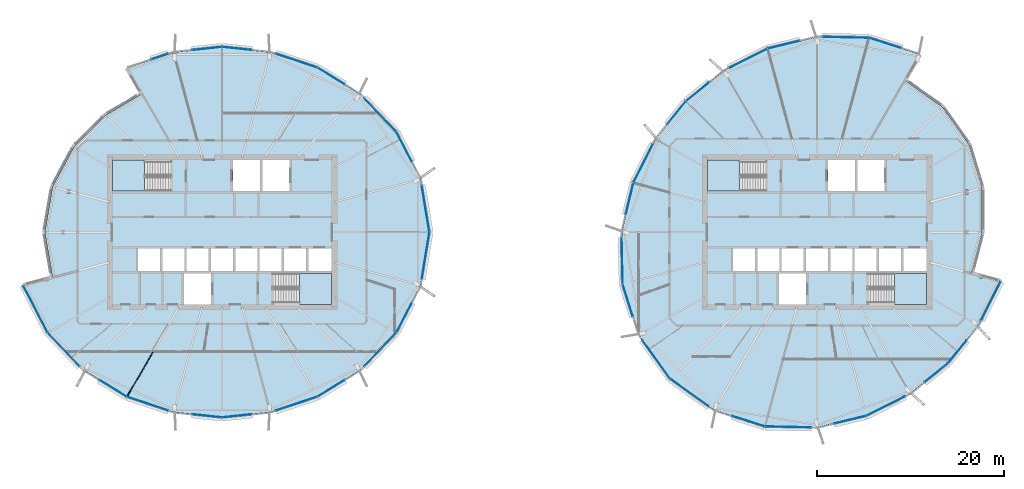
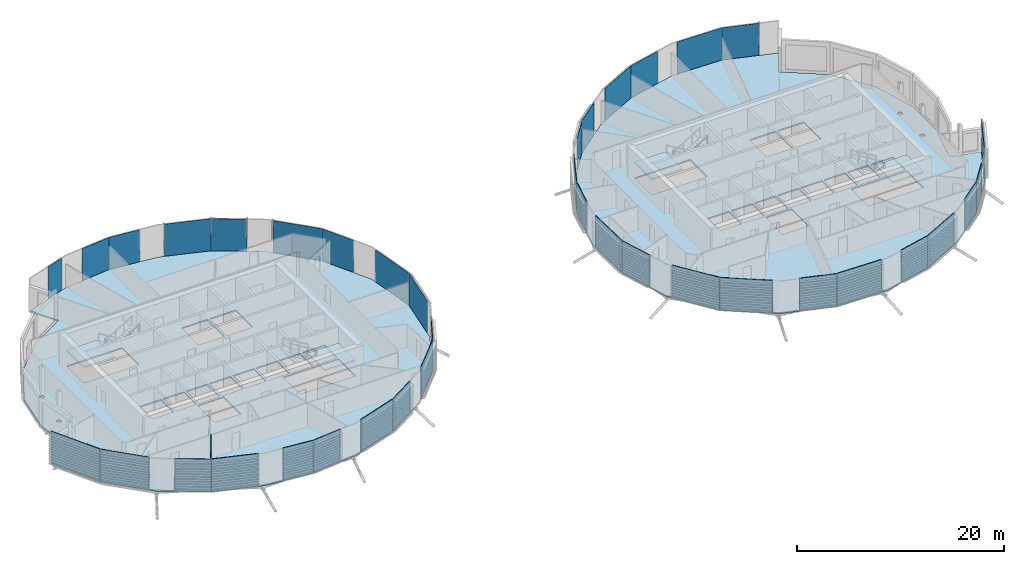
# One storey, part 17 of 36: 38 plates, 6 slabs, 1 wall, 6 elements without a shape of their own.
"""IFC4 building model written with IfcOpenShell, lengths in metres."""

import ifcopenshell
import ifcopenshell.guid

model = None  # the IFC model being written
_history = None  # IfcOwnerHistory: only IFC2X3 demands one
_inside = {}  # id of a spatial element -> (the spatial element, [elements in it])
_under = {}  # id of a project, library or spatial element -> (it, [spatial elements below it])
_declared = {}  # id of a project -> (the project, [libraries it declares])
_typed = {}  # id of a type object -> (the type object, [elements of that type])
_made_of = {}  # id of a material, layer set ... -> (it, [elements and type objects made of it])


def new_model(schema):
    """Start an empty IFC model of exactly this schema.

    Asked for "IFC4X3", IfcOpenShell would pick the latest addendum, in which some entities
    have other attributes; the version numbers below select the first issue.
    IFC2X3 requires an IfcOwnerHistory on every rooted entity: one is made here for all.
    """
    global model, _history
    if schema == "IFC4X3":
        model = ifcopenshell.file(schema_version=(4, 3, 0, 0))
    else:
        model = ifcopenshell.file(schema=schema)
    _inside.clear()
    _under.clear()
    _declared.clear()
    _typed.clear()
    _made_of.clear()
    _history = None
    if model.schema == "IFC2X3":
        org = make("IfcOrganization", Name="unknown")
        user = make(
            "IfcPersonAndOrganization",
            ThePerson=make("IfcPerson", FamilyName="unknown"),
            TheOrganization=org,
        )
        app = make(
            "IfcApplication",
            ApplicationDeveloper=org,
            Version="unknown",
            ApplicationFullName="unknown",
            ApplicationIdentifier="unknown",
        )
        _history = make(
            "IfcOwnerHistory",
            OwningUser=user,
            OwningApplication=app,
            ChangeAction="ADDED",
            CreationDate=0,
        )
    return model


def make(cls, **values):
    """One entity of the class cls with the attributes given. An attribute that is None is left unset."""
    return model.create_entity(
        cls, **{name: value for name, value in values.items() if value is not None}
    )


def rooted(cls, **values):
    """An entity with a GlobalId (a new one), such as an element, a storey or a relation."""
    return make(cls, GlobalId=ifcopenshell.guid.new(), OwnerHistory=_history, **values)


def si_unit(unit_type, name, prefix=None):
    """IfcSIUnit, for example si_unit("LENGTHUNIT", "METRE", prefix="MILLI")."""
    return make("IfcSIUnit", UnitType=unit_type, Prefix=prefix, Name=name)


def assignment(units):
    """IfcUnitAssignment: the units of a project."""
    return None if units is None else make("IfcUnitAssignment", Units=units)


def point(xyz):
    """IfcCartesianPoint."""
    return None if xyz is None else make("IfcCartesianPoint", Coordinates=xyz)


def direction(xyz):
    """IfcDirection."""
    return None if xyz is None else make("IfcDirection", DirectionRatios=xyz)


def frame(location, z_axis=None, x_axis=None):
    """IfcAxis2Placement3D, a coordinate frame: its origin and axes. An axis left out is left unset."""
    return make(
        "IfcAxis2Placement3D",
        Location=point(location),
        Axis=direction(z_axis),
        RefDirection=direction(x_axis),
    )


def frame_2d(location, x_axis=None):
    """IfcAxis2Placement2D, a coordinate frame in the plane: its origin and x axis."""
    return make(
        "IfcAxis2Placement2D", Location=point(location), RefDirection=direction(x_axis)
    )


def origin():
    """The frame at (0, 0, 0) with its axes left unset."""
    return frame((0.0, 0.0, 0.0))


def origin_2d():
    """The frame at (0, 0) in the plane with its x axis left unset."""
    return frame_2d((0.0, 0.0))


def place(relative_to, where):
    """IfcLocalPlacement: puts the frame where relative to a parent placement (None: the world)."""
    return make(
        "IfcLocalPlacement", PlacementRelTo=relative_to, RelativePlacement=where
    )


def context(
    kind, dimensions, precision=None, world=None, true_north=None, identifier=None
):
    """IfcGeometricRepresentationContext, for example the 3D "Model" context."""
    return make(
        "IfcGeometricRepresentationContext",
        ContextIdentifier=identifier,
        ContextType=kind,
        CoordinateSpaceDimension=dimensions,
        Precision=precision,
        WorldCoordinateSystem=world,
        TrueNorth=true_north,
    )


def subcontext(parent, identifier, kind, view, scale=None):
    """IfcGeometricRepresentationSubContext, for example "Body" below "Model"."""
    return make(
        "IfcGeometricRepresentationSubContext",
        ContextIdentifier=identifier,
        ContextType=kind,
        ParentContext=parent,
        TargetScale=scale,
        TargetView=view,
    )


def project(units=None, contexts=None):
    """IfcProject with its units and contexts."""
    return rooted(
        "IfcProject",
        Name="project",
        RepresentationContexts=contexts,
        UnitsInContext=assignment(units),
    )


def spatial(cls, under=None, at=None, **own):
    """A site, building, storey or space (cls), placed at a placement, below another one or the project."""
    s = rooted(cls, ObjectPlacement=at, **own)
    if under is not None:
        _under.setdefault(under.id(), (under, []))[1].append(s)
    return s


def polyline(points):
    """IfcPolyline through the points."""
    return make("IfcPolyline", Points=[point(p) for p in points])


def profile(cls, at=None, kind="AREA", **sizes):
    """A parametric profile (cls). Its sizes go by their IFC names, for example OverallWidth=200.0."""
    return make(cls, ProfileType=kind, Position=at, **sizes)


def rectangle(**sizes):
    """IfcRectangleProfileDef."""
    return profile("IfcRectangleProfileDef", **sizes)


def outline(outer, holes=None, kind="AREA"):
    """IfcArbitraryClosedProfileDef: a profile drawn as a closed curve; with holes, ...WithVoids."""
    if holes is None:
        return make("IfcArbitraryClosedProfileDef", ProfileType=kind, OuterCurve=outer)
    return make(
        "IfcArbitraryProfileDefWithVoids",
        ProfileType=kind,
        OuterCurve=outer,
        InnerCurves=holes,
    )


def extrude(swept, where, along, depth):
    """IfcExtrudedAreaSolid: the profile swept, set in the frame where, extruded along a direction by depth."""
    return make(
        "IfcExtrudedAreaSolid",
        SweptArea=swept,
        Position=where,
        ExtrudedDirection=direction(along),
        Depth=depth,
    )


def shape(context_of_items, identifier, shape_type, items):
    """IfcShapeRepresentation: the items that make up one representation, for example the "Body"."""
    return make(
        "IfcShapeRepresentation",
        ContextOfItems=context_of_items,
        RepresentationIdentifier=identifier,
        RepresentationType=shape_type,
        Items=items,
    )


def material(Name=None, Category=None):
    """IfcMaterial."""
    return make("IfcMaterial", Name=Name, Category=Category)


def layer(
    of_material, thickness, ventilated=None, Name=None, Category=None, Priority=None
):
    """IfcMaterialLayer: one layer of a wall or slab, of a material (None: an air gap)."""
    return make(
        "IfcMaterialLayer",
        Material=of_material,
        LayerThickness=thickness,
        IsVentilated=ventilated,
        Name=Name,
        Category=Category,
        Priority=Priority,
    )


def layer_set(layers, Name=None):
    """IfcMaterialLayerSet."""
    return make("IfcMaterialLayerSet", MaterialLayers=layers, LayerSetName=Name)


def made_of(thing, what):
    """Note that an element or type object is made of a material, layer set ...; save() writes the relation."""
    if what is not None:
        _made_of.setdefault(what.id(), (what, []))[1].append(thing)
    return thing


def type_object(cls, material=None, **own):
    """A type object (cls), such as IfcWallType, which elements share."""
    return made_of(rooted(cls, **own), material)


def element(
    cls,
    number,
    at=None,
    inside=None,
    cuts=None,
    type_object=None,
    material=None,
    context=None,
    identifier="Body",
    shape_type=None,
    held_by="IfcProductDefinitionShape",
    body=None,
    shapes=None,
    **own,
):
    """One element of the class cls, such as IfcWall. Its Tag is "e" and its number.

    at: its placement. inside: the storey or other place that contains it. cuts: it is an
    opening in that element (IfcRelVoidsElement). A single representation is given by context,
    identifier, shape_type and body (its items); several are given by shapes. held_by: the class
    of the entity that holds the representations. save() writes the other relations.
    """
    e = rooted(cls, Tag="e%d" % number, ObjectPlacement=at, **own)
    if body is not None:
        shapes = [shape(context, identifier, shape_type, body)]
    if shapes is not None:
        e.Representation = make(held_by, Representations=shapes)
    if inside is not None:
        _inside.setdefault(inside.id(), (inside, []))[1].append(e)
    if cuts is not None:
        rooted(
            "IfcRelVoidsElement", RelatingBuildingElement=cuts, RelatedOpeningElement=e
        )
    if type_object is not None:
        _typed.setdefault(type_object.id(), (type_object, []))[1].append(e)
    return made_of(e, material)


def aggregate(whole, parts):
    """IfcRelAggregates: a whole, such as a stair, and the parts it consists of."""
    return rooted("IfcRelAggregates", RelatingObject=whole, RelatedObjects=parts)


def save(model, path):
    """Write the relations noted so far, then the file.

    IfcRelAggregates (storeys below a building ...), IfcRelContainedInSpatialStructure (elements
    in a storey), IfcRelDefinesByType, IfcRelAssociatesMaterial and IfcRelDeclares: one each for
    every whole, place, type object, material and project.
    """
    for whole, parts in _under.values():
        aggregate(whole, parts)
    for where, things in _inside.values():
        rooted(
            "IfcRelContainedInSpatialStructure",
            RelatedElements=things,
            RelatingStructure=where,
        )
    for kind, things in _typed.values():
        rooted("IfcRelDefinesByType", RelatedObjects=things, RelatingType=kind)
    for what, things in _made_of.values():
        rooted("IfcRelAssociatesMaterial", RelatedObjects=things, RelatingMaterial=what)
    for by, libraries in _declared.values():
        rooted("IfcRelDeclares", RelatingContext=by, RelatedDefinitions=libraries)
    model.write(path)


model = new_model("IFC4")

# Units and contexts
model_context = context("Model", 3, precision=1e-05, world=origin(), true_north=direction((0.0, 1.0)))
body_context = subcontext(model_context, "Body", "Model", "MODEL_VIEW")
ifc_project = project(units=[si_unit("LENGTHUNIT", "METRE"), si_unit("AREAUNIT", "SQUARE_METRE"), si_unit("VOLUMEUNIT", "CUBIC_METRE"), si_unit("PLANEANGLEUNIT", "RADIAN"), si_unit("MASSUNIT", "GRAM", prefix="KILO")], contexts=[model_context])

# Site, building, storey
site_placement = place(None, origin())
site = spatial("IfcSite", under=ifc_project, at=site_placement, CompositionType="ELEMENT")
building_placement = place(site_placement, origin())
building = spatial("IfcBuilding", under=site, at=building_placement, Name="Rimbun Link Towers", CompositionType="ELEMENT")
storey_placement = place(building_placement, frame((0.0, 0.0, 174.10009765625)))
storey = spatial("IfcBuildingStorey", under=building, at=storey_placement, Name="L42", CompositionType="ELEMENT", Elevation=174.10009765625)

# Slabs
ifc_material_1 = material(Name="Concrete C35/45", Category="concrete")
ifc_layer_1 = layer(ifc_material_1, 0.14990234375)
ifc_layer_set_1 = layer_set([ifc_layer_1], Name="COMPOSITE FLOOR 150")
slab_type_1 = type_object("IfcSlabType", Name="COMPOSITE FLOOR 150", PredefinedType="FLOOR", material=ifc_layer_set_1)
slab_1_placement = place(storey_placement, frame((0.0, 0.0, -0.150146484375)))
element("IfcSlab", 1, at=slab_1_placement, inside=storey, type_object=slab_type_1, Name="Floor slab T1 L42", PredefinedType="FLOOR", context=body_context, shape_type="SweptSolid", body=[
    extrude(outline(polyline([(-49.843994140625, -4.848388671875), (-50.66845703125, 0.0), (-49.843994140625, 4.848388671875), (-47.55224609375, 9.12353515625), (-44.218505859375, 12.468505859375), (-40.28466796875, 14.7822265625), (-41.884521484375, 17.5537109375), (-36.896484375, 19.20654296875), (-31.75, 19.74853515625), (-26.603515625, 19.20654296875), (-21.615478515625, 17.5537109375), (-17.018798828125, 14.731201171875), (-13.176513671875, 10.723388671875), (-10.56494140625, 5.676513671875), (-9.631591796875, 0.0), (-10.56494140625, -5.676513671875), (-13.176513671875, -10.723388671875), (-17.018798828125, -14.731201171875), (-21.615478515625, -17.5537109375), (-26.603515625, -19.20654296875), (-31.75, -19.74853515625), (-36.896484375, -19.20654296875), (-41.884521484375, -17.5537109375), (-46.481201171875, -14.731201171875), (-50.323486328125, -10.723388671875), (-52.93505859375, -5.676513671875), (-50.7080078125, -5.079833984375), (-50.7080078125, -5.22314453125), (-50.30908203125, -5.22314453125), (-50.30908203125, -4.972900390625), (-49.843994140625, -4.848388671875)]), holes=[polyline([(-32.89990234375, -7.699951171875), (-32.89990234375, -4.39990234375), (-35.800048828125, -4.39990234375), (-35.800048828125, -7.699951171875), (-32.89990234375, -7.699951171875)]), polyline([(-38.361083984375, -4.14990234375), (-38.361083984375, -1.75), (-40.70556640625, -1.75), (-40.70556640625, -4.14990234375), (-38.361083984375, -4.14990234375)]), polyline([(-35.7666015625, -4.14990234375), (-35.7666015625, -1.75), (-38.111083984375, -1.75), (-38.111083984375, -4.14990234375), (-35.7666015625, -4.14990234375)]), polyline([(-33.172119140625, -4.14990234375), (-33.172119140625, -1.75), (-35.5166015625, -1.75), (-35.5166015625, -4.14990234375), (-33.172119140625, -4.14990234375)]), polyline([(-48.555419921875, -0.19677734375), (-48.555419921875, 0.19677734375), (-48.954345703125, 0.19677734375), (-48.954345703125, -0.19677734375), (-48.555419921875, -0.19677734375)]), polyline([(-47.919677734375, 4.189208984375), (-47.919677734375, 4.5830078125), (-48.318603515625, 4.5830078125), (-48.318603515625, 4.189208984375), (-47.919677734375, 4.189208984375)]), polyline([(-37.260009765625, 4.39990234375), (-37.260009765625, 7.699951171875), (-43.449951171875, 7.699951171875), (-43.449951171875, 4.39990234375), (-37.260009765625, 4.39990234375)]), polyline([(-20.050048828125, -7.699951171875), (-20.050048828125, -4.39990234375), (-26.239990234375, -4.39990234375), (-26.239990234375, -7.699951171875), (-20.050048828125, -7.699951171875)]), polyline([(-30.577880859375, -4.14990234375), (-30.577880859375, -1.75), (-32.922119140625, -1.75), (-32.922119140625, -4.14990234375), (-30.577880859375, -4.14990234375)]), polyline([(-27.9833984375, -4.14990234375), (-27.9833984375, -1.75), (-30.327880859375, -1.75), (-30.327880859375, -4.14990234375), (-27.9833984375, -4.14990234375)]), polyline([(-25.388916015625, -4.14990234375), (-25.388916015625, -1.75), (-27.7333984375, -1.75), (-27.7333984375, -4.14990234375), (-25.388916015625, -4.14990234375)]), polyline([(-22.79443359375, -4.14990234375), (-22.79443359375, -1.75), (-25.138916015625, -1.75), (-25.138916015625, -4.14990234375), (-22.79443359375, -4.14990234375)]), polyline([(-20.050048828125, -4.14990234375), (-20.050048828125, -1.75), (-22.54443359375, -1.75), (-22.54443359375, -4.14990234375), (-20.050048828125, -4.14990234375)]), polyline([(-27.699951171875, 4.39990234375), (-27.699951171875, 7.699951171875), (-30.60009765625, 7.699951171875), (-30.60009765625, 4.39990234375), (-27.699951171875, 4.39990234375)]), polyline([(-24.550048828125, 4.39990234375), (-24.550048828125, 7.699951171875), (-27.449951171875, 7.699951171875), (-27.449951171875, 4.39990234375), (-24.550048828125, 4.39990234375)])]), origin(), (0.0, 0.0, 1.0), 0.150146484375),
])
slab_2_placement = place(storey_placement, frame((0.0, 0.0, -0.150146484375)))
element("IfcSlab", 2, at=slab_2_placement, inside=storey, type_object=slab_type_1, Name="Floor slab T2 L42", PredefinedType="FLOOR", context=body_context, shape_type="SweptSolid", body=[
    extrude(outline(polyline([(51.32861328125, -5.24609375), (48.97021484375, -9.942138671875), (45.71435546875, -13.96435546875), (41.692138671875, -17.22021484375), (36.99609375, -19.57861328125), (31.75, -20.8330078125), (26.19921875, -20.71630859375), (20.78369140625, -18.993896484375), (16.10986328125, -15.64013671875), (12.756103515625, -10.96630859375), (11.03369140625, -5.55078125), (10.9169921875, 0.0), (12.17138671875, 5.24609375), (14.52978515625, 9.942138671875), (17.78564453125, 13.96435546875), (21.807861328125, 17.22021484375), (26.50390625, 19.57861328125), (31.75, 20.8330078125), (37.30078125, 20.71630859375), (42.71630859375, 18.993896484375), (41.1162109375, 16.22265625), (45.12744140625, 13.37744140625), (47.97265625, 9.3662109375), (49.375244140625, 4.72265625), (49.383056640625, 0.0), (48.237548828125, -4.417724609375), (49.0244140625, -4.628662109375), (49.0244140625, -4.87890625), (49.42333984375, -4.87890625), (49.42333984375, -4.735595703125), (51.32861328125, -5.24609375)]), holes=[polyline([(30.60009765625, -7.699951171875), (30.60009765625, -4.39990234375), (27.699951171875, -4.39990234375), (27.699951171875, -7.699951171875), (30.60009765625, -7.699951171875)]), polyline([(25.138916015625, -4.14990234375), (25.138916015625, -1.75), (22.79443359375, -1.75), (22.79443359375, -4.14990234375), (25.138916015625, -4.14990234375)]), polyline([(27.7333984375, -4.14990234375), (27.7333984375, -1.75), (25.388916015625, -1.75), (25.388916015625, -4.14990234375), (27.7333984375, -4.14990234375)]), polyline([(30.327880859375, -4.14990234375), (30.327880859375, -1.75), (27.9833984375, -1.75), (27.9833984375, -4.14990234375), (30.327880859375, -4.14990234375)]), polyline([(32.922119140625, -4.14990234375), (32.922119140625, -1.75), (30.577880859375, -1.75), (30.577880859375, -4.14990234375), (32.922119140625, -4.14990234375)]), polyline([(35.5166015625, -4.14990234375), (35.5166015625, -1.75), (33.172119140625, -1.75), (33.172119140625, -4.14990234375), (35.5166015625, -4.14990234375)]), polyline([(26.239990234375, 4.39990234375), (26.239990234375, 7.699951171875), (20.050048828125, 7.699951171875), (20.050048828125, 4.39990234375), (26.239990234375, 4.39990234375)]), polyline([(35.800048828125, 4.39990234375), (35.800048828125, 7.699951171875), (32.89990234375, 7.699951171875), (32.89990234375, 4.39990234375), (35.800048828125, 4.39990234375)]), polyline([(43.449951171875, -7.699951171875), (43.449951171875, -4.39990234375), (37.260009765625, -4.39990234375), (37.260009765625, -7.699951171875), (43.449951171875, -7.699951171875)]), polyline([(38.111083984375, -4.14990234375), (38.111083984375, -1.75), (35.7666015625, -1.75), (35.7666015625, -4.14990234375), (38.111083984375, -4.14990234375)]), polyline([(40.70556640625, -4.14990234375), (40.70556640625, -1.75), (38.361083984375, -1.75), (38.361083984375, -4.14990234375), (40.70556640625, -4.14990234375)]), polyline([(43.449951171875, -4.14990234375), (43.449951171875, -1.75), (40.95556640625, -1.75), (40.95556640625, -4.14990234375), (43.449951171875, -4.14990234375)]), polyline([(47.927490234375, -0.19677734375), (47.927490234375, 0.19677734375), (47.5283203125, 0.19677734375), (47.5283203125, -0.19677734375), (47.927490234375, -0.19677734375)]), polyline([(47.94384765625, 4.0888671875), (47.94384765625, 4.482421875), (47.544921875, 4.482421875), (47.544921875, 4.0888671875), (47.94384765625, 4.0888671875)]), polyline([(38.949951171875, 4.39990234375), (38.949951171875, 7.699951171875), (36.050048828125, 7.699951171875), (36.050048828125, 4.39990234375), (38.949951171875, 4.39990234375)])]), origin(), (0.0, 0.0, 1.0), 0.150146484375),
])

# Curtain wall, plates
ifc_material_2 = material(Name="Aluminium 6063-T6 and low-iron glass", Category="aluminium")
curtain_wall_type = type_object("IfcCurtainWallType", Name="CW1-Z3 unitised vision wall (zone 3)", PredefinedType="NOTDEFINED", material=ifc_material_2)
curtain_wall_1_placement = place(storey_placement, origin())
curtain_wall_1 = element("IfcCurtainWall", 3, at=curtain_wall_1_placement, inside=storey, type_object=curtain_wall_type, Name="CW1 L42 T1", PredefinedType="NOTDEFINED")
ifc_material_3 = material(Name="Low-iron glass, laminated low-e unit", Category="glass")
ifc_layer_2 = layer(ifc_material_3, 0.028076171875)
ifc_layer_set_2 = layer_set([ifc_layer_2], Name="CW1 panel Low-iron glass 28")
plate_type = type_object("IfcPlateType", Name="CW1 panel Low-iron glass 28", PredefinedType="CURTAIN_PANEL", material=ifc_layer_set_2)
plate_1_placement = place(storey_placement, frame((-10.03173828125, 2.519775390625, 0.0), z_axis=(0.0, 0.0, 1.0), x_axis=(0.162253435593, -0.986749118387, 0.0)))
plate_1 = element("IfcPlate", 4, at=plate_1_placement, type_object=plate_type, Name="CW1 panel", PredefinedType="CURTAIN_PANEL", context=body_context, shape_type="SweptSolid", body=[
    extrude(rectangle(XDim=5.062744140625, YDim=0.028076171875, at=origin_2d()), origin(), (0.0, 0.0, 1.0), 3.800048828125),
])
plate_2_placement = place(storey_placement, frame((-12.329345703125, 9.11669921875, 0.0), z_axis=(0.0, 0.0, 1.0), x_axis=(0.459559352042, -0.888147060993, 0.0)))
plate_2 = element("IfcPlate", 5, at=plate_2_placement, type_object=plate_type, Name="CW1 panel", PredefinedType="CURTAIN_PANEL", context=body_context, shape_type="SweptSolid", body=[
    extrude(rectangle(XDim=3.592529296875, YDim=0.028076171875, at=origin_2d()), origin(), (0.0, 0.0, 1.0), 3.800048828125),
])
plate_3_placement = place(storey_placement, frame((-14.8798828125, 12.5205078125, 0.0), z_axis=(0.0, 0.0, 1.0), x_axis=(0.692045397695, -0.721853979368, 0.0)))
plate_3 = element("IfcPlate", 6, at=plate_3_placement, type_object=plate_type, Name="CW1 panel", PredefinedType="CURTAIN_PANEL", context=body_context, shape_type="SweptSolid", body=[
    extrude(rectangle(XDim=4.912109375, YDim=0.028076171875, at=origin_2d()), origin(), (0.0, 0.0, 1.0), 3.800048828125),
])
plate_4_placement = place(storey_placement, frame((-20.119384765625, 16.6513671875, 0.0), z_axis=(0.0, 0.0, 1.0), x_axis=(0.852190659368, -0.523231382934, 0.0)))
plate_4 = element("IfcPlate", 7, at=plate_4_placement, type_object=plate_type, Name="CW1 panel", PredefinedType="CURTAIN_PANEL", context=body_context, shape_type="SweptSolid", body=[
    extrude(rectangle(XDim=3.4541015625, YDim=0.028076171875, at=origin_2d()), origin(), (0.0, 0.0, 1.0), 3.800048828125),
])
plate_5_placement = place(storey_placement, frame((-23.8203125, 18.299072265625, 0.0), z_axis=(0.0, 0.0, 1.0), x_axis=(0.949237499521, -0.314560279601, 0.0)))
plate_5 = element("IfcPlate", 8, at=plate_5_placement, type_object=plate_type, Name="CW1 panel", PredefinedType="CURTAIN_PANEL", context=body_context, shape_type="SweptSolid", body=[
    extrude(rectangle(XDim=4.614990234375, YDim=0.028076171875, at=origin_2d()), origin(), (0.0, 0.0, 1.0), 3.800048828125),
])
plate_6_placement = place(storey_placement, frame((-30.14501953125, 19.59375, 0.0), z_axis=(0.0, 0.0, 1.0), x_axis=(0.994499945476, -0.104737092036, 0.0)))
plate_6 = element("IfcPlate", 9, at=plate_6_placement, type_object=plate_type, Name="CW1 panel", PredefinedType="CURTAIN_PANEL", context=body_context, shape_type="SweptSolid", body=[
    extrude(rectangle(XDim=3.184814453125, YDim=0.028076171875, at=origin_2d()), origin(), (0.0, 0.0, 1.0), 3.800048828125),
])
plate_7_placement = place(storey_placement, frame((-33.35498046875, 19.59375, 0.0), z_axis=(0.0, 0.0, 1.0), x_axis=(0.994499945476, 0.104737092036, 0.0)))
plate_7 = element("IfcPlate", 10, at=plate_7_placement, type_object=plate_type, Name="CW1 panel", PredefinedType="CURTAIN_PANEL", context=body_context, shape_type="SweptSolid", body=[
    extrude(rectangle(XDim=3.184814453125, YDim=0.028076171875, at=origin_2d()), origin(), (0.0, 0.0, 1.0), 3.800048828125),
])
plate_8_placement = place(storey_placement, frame((-38.398193359375, 18.7236328125, 0.0), z_axis=(0.0, 0.0, 1.0), x_axis=(0.949237499521, 0.314560279601, 0.0)))
plate_8 = element("IfcPlate", 11, at=plate_8_placement, type_object=plate_type, Name="CW1 panel", PredefinedType="CURTAIN_PANEL", context=body_context, shape_type="SweptSolid", body=[
    extrude(rectangle(XDim=1.9150390625, YDim=0.028076171875, at=origin_2d()), origin(), (0.0, 0.0, 1.0), 3.800048828125),
])
plate_9_placement = place(storey_placement, frame((-51.641845703125, -8.20654296875, 0.0), z_axis=(0.0, 0.0, 1.0), x_axis=(-0.459559352042, 0.888147060993, 0.0)))
plate_9 = element("IfcPlate", 12, at=plate_9_placement, type_object=plate_type, Name="CW1 panel", PredefinedType="CURTAIN_PANEL", context=body_context, shape_type="SweptSolid", body=[
    extrude(rectangle(XDim=5.642578125, YDim=0.028076171875, at=origin_2d()), origin(), (0.0, 0.0, 1.0), 3.800048828125),
])
plate_10_placement = place(storey_placement, frame((-48.6201171875, -12.5205078125, 0.0), z_axis=(0.0, 0.0, 1.0), x_axis=(-0.692045397695, 0.721853979368, 0.0)))
plate_10 = element("IfcPlate", 13, at=plate_10_placement, type_object=plate_type, Name="CW1 panel", PredefinedType="CURTAIN_PANEL", context=body_context, shape_type="SweptSolid", body=[
    extrude(rectangle(XDim=4.912109375, YDim=0.028076171875, at=origin_2d()), origin(), (0.0, 0.0, 1.0), 3.800048828125),
])
plate_11_placement = place(storey_placement, frame((-43.380615234375, -16.6513671875, 0.0), z_axis=(0.0, 0.0, 1.0), x_axis=(-0.852190659368, 0.523231382934, 0.0)))
plate_11 = element("IfcPlate", 14, at=plate_11_placement, type_object=plate_type, Name="CW1 panel", PredefinedType="CURTAIN_PANEL", context=body_context, shape_type="SweptSolid", body=[
    extrude(rectangle(XDim=3.4541015625, YDim=0.028076171875, at=origin_2d()), origin(), (0.0, 0.0, 1.0), 3.800048828125),
])
plate_12_placement = place(storey_placement, frame((-39.6796875, -18.299072265625, 0.0), z_axis=(0.0, 0.0, 1.0), x_axis=(-0.949237499521, 0.314560279601, 0.0)))
plate_12 = element("IfcPlate", 15, at=plate_12_placement, type_object=plate_type, Name="CW1 panel", PredefinedType="CURTAIN_PANEL", context=body_context, shape_type="SweptSolid", body=[
    extrude(rectangle(XDim=4.614990234375, YDim=0.028076171875, at=origin_2d()), origin(), (0.0, 0.0, 1.0), 3.800048828125),
])
plate_13_placement = place(storey_placement, frame((-33.35498046875, -19.59375, 0.0), z_axis=(0.0, 0.0, 1.0), x_axis=(-0.994499945476, 0.104737092036, 0.0)))
plate_13 = element("IfcPlate", 16, at=plate_13_placement, type_object=plate_type, Name="CW1 panel", PredefinedType="CURTAIN_PANEL", context=body_context, shape_type="SweptSolid", body=[
    extrude(rectangle(XDim=3.184814453125, YDim=0.028076171875, at=origin_2d()), origin(), (0.0, 0.0, 1.0), 3.800048828125),
])
plate_14_placement = place(storey_placement, frame((-30.14501953125, -19.59375, 0.0), z_axis=(0.0, 0.0, 1.0), x_axis=(-0.994499945476, -0.104737092036, 0.0)))
plate_14 = element("IfcPlate", 17, at=plate_14_placement, type_object=plate_type, Name="CW1 panel", PredefinedType="CURTAIN_PANEL", context=body_context, shape_type="SweptSolid", body=[
    extrude(rectangle(XDim=3.184814453125, YDim=0.028076171875, at=origin_2d()), origin(), (0.0, 0.0, 1.0), 3.800048828125),
])
plate_15_placement = place(storey_placement, frame((-23.8203125, -18.299072265625, 0.0), z_axis=(0.0, 0.0, 1.0), x_axis=(-0.949237499521, -0.314560279601, 0.0)))
plate_15 = element("IfcPlate", 18, at=plate_15_placement, type_object=plate_type, Name="CW1 panel", PredefinedType="CURTAIN_PANEL", context=body_context, shape_type="SweptSolid", body=[
    extrude(rectangle(XDim=4.614990234375, YDim=0.028076171875, at=origin_2d()), origin(), (0.0, 0.0, 1.0), 3.800048828125),
])
plate_16_placement = place(storey_placement, frame((-20.119384765625, -16.6513671875, 0.0), z_axis=(0.0, 0.0, 1.0), x_axis=(-0.852190659368, -0.523231382934, 0.0)))
plate_16 = element("IfcPlate", 19, at=plate_16_placement, type_object=plate_type, Name="CW1 panel", PredefinedType="CURTAIN_PANEL", context=body_context, shape_type="SweptSolid", body=[
    extrude(rectangle(XDim=3.4541015625, YDim=0.028076171875, at=origin_2d()), origin(), (0.0, 0.0, 1.0), 3.800048828125),
])
plate_17_placement = place(storey_placement, frame((-14.8798828125, -12.5205078125, 0.0), z_axis=(0.0, 0.0, 1.0), x_axis=(-0.692045397695, -0.721853979368, 0.0)))
plate_17 = element("IfcPlate", 20, at=plate_17_placement, type_object=plate_type, Name="CW1 panel", PredefinedType="CURTAIN_PANEL", context=body_context, shape_type="SweptSolid", body=[
    extrude(rectangle(XDim=4.912109375, YDim=0.028076171875, at=origin_2d()), origin(), (0.0, 0.0, 1.0), 3.800048828125),
])
plate_18_placement = place(storey_placement, frame((-12.329345703125, -9.11669921875, 0.0), z_axis=(0.0, 0.0, 1.0), x_axis=(-0.459559352042, -0.888147060993, 0.0)))
plate_18 = element("IfcPlate", 21, at=plate_18_placement, type_object=plate_type, Name="CW1 panel", PredefinedType="CURTAIN_PANEL", context=body_context, shape_type="SweptSolid", body=[
    extrude(rectangle(XDim=3.592529296875, YDim=0.028076171875, at=origin_2d()), origin(), (0.0, 0.0, 1.0), 3.800048828125),
])
plate_19_placement = place(storey_placement, frame((-10.03173828125, -2.519775390625, 0.0), z_axis=(0.0, 0.0, 1.0), x_axis=(-0.162253435593, -0.986749118387, 0.0)))
plate_19 = element("IfcPlate", 22, at=plate_19_placement, type_object=plate_type, Name="CW1 panel", PredefinedType="CURTAIN_PANEL", context=body_context, shape_type="SweptSolid", body=[
    extrude(rectangle(XDim=5.062744140625, YDim=0.028076171875, at=origin_2d()), origin(), (0.0, 0.0, 1.0), 3.800048828125),
])
aggregate(curtain_wall_1, [plate_1, plate_2, plate_3, plate_4, plate_5, plate_6, plate_7, plate_8, plate_9, plate_10, plate_11, plate_12, plate_13, plate_14, plate_15, plate_16, plate_17, plate_18, plate_19])

curtain_wall_2_placement = place(storey_placement, origin())
curtain_wall_2 = element("IfcCurtainWall", 23, at=curtain_wall_2_placement, inside=storey, type_object=curtain_wall_type, Name="CW1 L42 T2", PredefinedType="NOTDEFINED")
plate_20_placement = place(storey_placement, frame((39.059814453125, 20.171630859375, 0.0), z_axis=(0.0, 0.0, 1.0), x_axis=(0.952968988731, -0.303067824946, 0.0)))
plate_20 = element("IfcPlate", 24, at=plate_20_placement, type_object=plate_type, Name="CW1 panel", PredefinedType="CURTAIN_PANEL", context=body_context, shape_type="SweptSolid", body=[
    extrude(rectangle(XDim=3.642578125, YDim=0.028076171875, at=origin_2d()), origin(), (0.0, 0.0, 1.0), 3.800048828125),
])
plate_21_placement = place(storey_placement, frame((34.82568359375, 20.7822265625, 0.0), z_axis=(0.0, 0.0, 1.0), x_axis=(0.999778319348, -0.021054979477, 0.0)))
plate_21 = element("IfcPlate", 25, at=plate_21_placement, type_object=plate_type, Name="CW1 panel", PredefinedType="CURTAIN_PANEL", context=body_context, shape_type="SweptSolid", body=[
    extrude(rectangle(XDim=4.912109375, YDim=0.028076171875, at=origin_2d()), origin(), (0.0, 0.0, 1.0), 3.800048828125),
])
plate_22_placement = place(storey_placement, frame((28.22412109375, 20.004150390625, 0.0), z_axis=(0.0, 0.0, 1.0), x_axis=(0.972573786264, 0.232594562001, 0.0)))
plate_22 = element("IfcPlate", 26, at=plate_22_placement, type_object=plate_type, Name="CW1 panel", PredefinedType="CURTAIN_PANEL", context=body_context, shape_type="SweptSolid", body=[
    extrude(rectangle(XDim=3.50390625, YDim=0.028076171875, at=origin_2d()), origin(), (0.0, 0.0, 1.0), 3.800048828125),
])
plate_23_placement = place(storey_placement, frame((24.417724609375, 18.54638671875, 0.0), z_axis=(0.0, 0.0, 1.0), x_axis=(0.893645619235, 0.44877333613, 0.0)))
plate_23 = element("IfcPlate", 27, at=plate_23_placement, type_object=plate_type, Name="CW1 panel", PredefinedType="CURTAIN_PANEL", context=body_context, shape_type="SweptSolid", body=[
    extrude(rectangle(XDim=4.614990234375, YDim=0.028076171875, at=origin_2d()), origin(), (0.0, 0.0, 1.0), 3.800048828125),
])
plate_24_placement = place(storey_placement, frame((19.030029296875, 14.98974609375, 0.0), z_axis=(0.0, 0.0, 1.0), x_axis=(0.777277720811, 0.629157646962, 0.0)))
plate_24 = element("IfcPlate", 28, at=plate_24_placement, type_object=plate_type, Name="CW1 panel", PredefinedType="CURTAIN_PANEL", context=body_context, shape_type="SweptSolid", body=[
    extrude(rectangle(XDim=3.184814453125, YDim=0.028076171875, at=origin_2d()), origin(), (0.0, 0.0, 1.0), 3.800048828125),
])
plate_25_placement = place(storey_placement, frame((16.77587890625, 12.7392578125, 0.0), z_axis=(0.0, 0.0, 1.0), x_axis=(0.629157646962, 0.777277720811, 0.0)))
plate_25 = element("IfcPlate", 29, at=plate_25_placement, type_object=plate_type, Name="CW1 panel", PredefinedType="CURTAIN_PANEL", context=body_context, shape_type="SweptSolid", body=[
    extrude(rectangle(XDim=3.134765625, YDim=0.028076171875, at=origin_2d()), origin(), (0.0, 0.0, 1.0), 3.800048828125),
])
plate_26_placement = place(storey_placement, frame((13.20361328125, 7.332275390625, 0.0), z_axis=(0.0, 0.0, 1.0), x_axis=(0.44877333613, 0.893645619235, 0.0)))
plate_26 = element("IfcPlate", 30, at=plate_26_placement, type_object=plate_type, Name="CW1 panel", PredefinedType="CURTAIN_PANEL", context=body_context, shape_type="SweptSolid", body=[
    extrude(rectangle(XDim=4.614990234375, YDim=0.028076171875, at=origin_2d()), origin(), (0.0, 0.0, 1.0), 3.800048828125),
])
plate_27_placement = place(storey_placement, frame((11.75146484375, 3.55029296875, 0.0), z_axis=(0.0, 0.0, 1.0), x_axis=(0.232594562001, 0.972573786264, 0.0)))
plate_27 = element("IfcPlate", 31, at=plate_27_placement, type_object=plate_type, Name="CW1 panel", PredefinedType="CURTAIN_PANEL", context=body_context, shape_type="SweptSolid", body=[
    extrude(rectangle(XDim=3.453857421875, YDim=0.028076171875, at=origin_2d()), origin(), (0.0, 0.0, 1.0), 3.800048828125),
])
plate_28_placement = place(storey_placement, frame((10.967041015625, -3.05078125, 0.0), z_axis=(0.0, 0.0, 1.0), x_axis=(-0.021054979477, 0.999778319348, 0.0)))
plate_28 = element("IfcPlate", 32, at=plate_28_placement, type_object=plate_type, Name="CW1 panel", PredefinedType="CURTAIN_PANEL", context=body_context, shape_type="SweptSolid", body=[
    extrude(rectangle(XDim=4.962158203125, YDim=0.028076171875, at=origin_2d()), origin(), (0.0, 0.0, 1.0), 3.800048828125),
])
plate_29_placement = place(storey_placement, frame((11.57080078125, -7.285888671875, 0.0), z_axis=(0.0, 0.0, 1.0), x_axis=(-0.303067824946, 0.952968988731, 0.0)))
plate_29 = element("IfcPlate", 33, at=plate_29_placement, type_object=plate_type, Name="CW1 panel", PredefinedType="CURTAIN_PANEL", context=body_context, shape_type="SweptSolid", body=[
    extrude(rectangle(XDim=3.592529296875, YDim=0.028076171875, at=origin_2d()), origin(), (0.0, 0.0, 1.0), 3.800048828125),
])
plate_30_placement = place(storey_placement, frame((14.611083984375, -13.575439453125, 0.0), z_axis=(0.0, 0.0, 1.0), x_axis=(-0.583009413827, 0.812465398272, 0.0)))
plate_30 = element("IfcPlate", 34, at=plate_30_placement, type_object=plate_type, Name="CW1 panel", PredefinedType="CURTAIN_PANEL", context=body_context, shape_type="SweptSolid", body=[
    extrude(rectangle(XDim=5.062744140625, YDim=0.028076171875, at=origin_2d()), origin(), (0.0, 0.0, 1.0), 3.800048828125),
])
plate_31_placement = place(storey_placement, frame((18.174560546875, -17.138916015625, 0.0), z_axis=(0.0, 0.0, 1.0), x_axis=(-0.812465398272, 0.583009413827, 0.0)))
plate_31 = element("IfcPlate", 35, at=plate_31_placement, type_object=plate_type, Name="CW1 panel", PredefinedType="CURTAIN_PANEL", context=body_context, shape_type="SweptSolid", body=[
    extrude(rectangle(XDim=5.062744140625, YDim=0.028076171875, at=origin_2d()), origin(), (0.0, 0.0, 1.0), 3.800048828125),
])
plate_32_placement = place(storey_placement, frame((24.440185546875, -20.171630859375, 0.0), z_axis=(0.0, 0.0, 1.0), x_axis=(-0.952968988731, 0.303067824946, 0.0)))
plate_32 = element("IfcPlate", 36, at=plate_32_placement, type_object=plate_type, Name="CW1 panel", PredefinedType="CURTAIN_PANEL", context=body_context, shape_type="SweptSolid", body=[
    extrude(rectangle(XDim=3.642578125, YDim=0.028076171875, at=origin_2d()), origin(), (0.0, 0.0, 1.0), 3.800048828125),
])
plate_33_placement = place(storey_placement, frame((28.67431640625, -20.7822265625, 0.0), z_axis=(0.0, 0.0, 1.0), x_axis=(-0.999778319348, 0.021054979477, 0.0)))
plate_33 = element("IfcPlate", 37, at=plate_33_placement, type_object=plate_type, Name="CW1 panel", PredefinedType="CURTAIN_PANEL", context=body_context, shape_type="SweptSolid", body=[
    extrude(rectangle(XDim=4.912109375, YDim=0.028076171875, at=origin_2d()), origin(), (0.0, 0.0, 1.0), 3.800048828125),
])
plate_34_placement = place(storey_placement, frame((35.27587890625, -20.004150390625, 0.0), z_axis=(0.0, 0.0, 1.0), x_axis=(-0.972573786264, -0.232594562001, 0.0)))
plate_34 = element("IfcPlate", 38, at=plate_34_placement, type_object=plate_type, Name="CW1 panel", PredefinedType="CURTAIN_PANEL", context=body_context, shape_type="SweptSolid", body=[
    extrude(rectangle(XDim=3.50390625, YDim=0.028076171875, at=origin_2d()), origin(), (0.0, 0.0, 1.0), 3.800048828125),
])
plate_35_placement = place(storey_placement, frame((39.082275390625, -18.54638671875, 0.0), z_axis=(0.0, 0.0, 1.0), x_axis=(-0.893645619235, -0.44877333613, 0.0)))
plate_35 = element("IfcPlate", 39, at=plate_35_placement, type_object=plate_type, Name="CW1 panel", PredefinedType="CURTAIN_PANEL", context=body_context, shape_type="SweptSolid", body=[
    extrude(rectangle(XDim=4.614990234375, YDim=0.028076171875, at=origin_2d()), origin(), (0.0, 0.0, 1.0), 3.800048828125),
])
plate_36_placement = place(storey_placement, frame((44.469970703125, -14.98974609375, 0.0), z_axis=(0.0, 0.0, 1.0), x_axis=(-0.777277720811, -0.629157646962, 0.0)))
plate_36 = element("IfcPlate", 40, at=plate_36_placement, type_object=plate_type, Name="CW1 panel", PredefinedType="CURTAIN_PANEL", context=body_context, shape_type="SweptSolid", body=[
    extrude(rectangle(XDim=3.184814453125, YDim=0.028076171875, at=origin_2d()), origin(), (0.0, 0.0, 1.0), 3.800048828125),
])
plate_37_placement = place(storey_placement, frame((46.72412109375, -12.7392578125, 0.0), z_axis=(0.0, 0.0, 1.0), x_axis=(-0.629157646962, -0.777277720811, 0.0)))
plate_37 = element("IfcPlate", 41, at=plate_37_placement, type_object=plate_type, Name="CW1 panel", PredefinedType="CURTAIN_PANEL", context=body_context, shape_type="SweptSolid", body=[
    extrude(rectangle(XDim=3.134765625, YDim=0.028076171875, at=origin_2d()), origin(), (0.0, 0.0, 1.0), 3.800048828125),
])
plate_38_placement = place(storey_placement, frame((50.29638671875, -7.332275390625, 0.0), z_axis=(0.0, 0.0, 1.0), x_axis=(-0.44877333613, -0.893645619235, 0.0)))
plate_38 = element("IfcPlate", 42, at=plate_38_placement, type_object=plate_type, Name="CW1 panel", PredefinedType="CURTAIN_PANEL", context=body_context, shape_type="SweptSolid", body=[
    extrude(rectangle(XDim=4.614990234375, YDim=0.028076171875, at=origin_2d()), origin(), (0.0, 0.0, 1.0), 3.800048828125),
])
aggregate(curtain_wall_2, [plate_20, plate_21, plate_22, plate_23, plate_24, plate_25, plate_26, plate_27, plate_28, plate_29, plate_30, plate_31, plate_32, plate_33, plate_34, plate_35, plate_36, plate_37, plate_38])

# Stair, slab
ifc_material_4 = material(Name="Concrete C40/50", Category="concrete")
stair_type = type_object("IfcStairType", Name="Exit stair 3800 rise", PredefinedType="HALF_TURN_STAIR", material=ifc_material_4)
stair_1_placement = place(storey_placement, origin())
stair_1 = element("IfcStair", 43, at=stair_1_placement, inside=storey, type_object=stair_type, Name="L42 EXIT STAIR A", PredefinedType="HALF_TURN_STAIR")
ifc_material_5 = material(Name="Concrete C40/50", Category="concrete")
ifc_layer_3 = layer(ifc_material_5, 0.199951171875)
ifc_layer_set_3 = layer_set([ifc_layer_3], Name="Stair landing")
slab_type_2 = type_object("IfcSlabType", Name="Stair landing", PredefinedType="LANDING", material=ifc_layer_set_3)
slab_3_placement = place(storey_placement, frame((0.0, 0.0, 1.699951171875)))
slab_3 = element("IfcSlab", 44, at=slab_3_placement, type_object=slab_type_2, Name="ST1 landing 1", PredefinedType="LANDING", context=body_context, shape_type="SweptSolid", body=[
    extrude(outline(polyline([(-40.0, 7.699951171875), (-43.449951171875, 7.699951171875), (-43.449951171875, 4.39990234375), (-40.0, 4.39990234375), (-40.0, 7.699951171875)])), origin(), (0.0, 0.0, 1.0), 0.199951171875),
])
aggregate(stair_1, [slab_3])

stair_2_placement = place(storey_placement, origin())
stair_2 = element("IfcStair", 45, at=stair_2_placement, inside=storey, type_object=stair_type, Name="L42 EXIT STAIR B", PredefinedType="HALF_TURN_STAIR")
slab_4_placement = place(storey_placement, frame((0.0, 0.0, 1.699951171875)))
slab_4 = element("IfcSlab", 46, at=slab_4_placement, type_object=slab_type_2, Name="ST2 landing 1", PredefinedType="LANDING", context=body_context, shape_type="SweptSolid", body=[
    extrude(outline(polyline([(-23.5, -7.699951171875), (-20.050048828125, -7.699951171875), (-20.050048828125, -4.39990234375), (-23.5, -4.39990234375), (-23.5, -7.699951171875)])), origin(), (0.0, 0.0, 1.0), 0.199951171875),
])
aggregate(stair_2, [slab_4])

stair_3_placement = place(storey_placement, origin())
stair_3 = element("IfcStair", 47, at=stair_3_placement, inside=storey, type_object=stair_type, Name="L42 EXIT STAIR A", PredefinedType="HALF_TURN_STAIR")
slab_5_placement = place(storey_placement, frame((0.0, 0.0, 1.699951171875)))
slab_5 = element("IfcSlab", 48, at=slab_5_placement, type_object=slab_type_2, Name="ST3 landing 1", PredefinedType="LANDING", context=body_context, shape_type="SweptSolid", body=[
    extrude(outline(polyline([(23.5, 7.699951171875), (20.050048828125, 7.699951171875), (20.050048828125, 4.39990234375), (23.5, 4.39990234375), (23.5, 7.699951171875)])), origin(), (0.0, 0.0, 1.0), 0.199951171875),
])
aggregate(stair_3, [slab_5])

stair_4_placement = place(storey_placement, origin())
stair_4 = element("IfcStair", 49, at=stair_4_placement, inside=storey, type_object=stair_type, Name="L42 EXIT STAIR B", PredefinedType="HALF_TURN_STAIR")
slab_6_placement = place(storey_placement, frame((0.0, 0.0, 1.699951171875)))
slab_6 = element("IfcSlab", 50, at=slab_6_placement, type_object=slab_type_2, Name="ST4 landing 1", PredefinedType="LANDING", context=body_context, shape_type="SweptSolid", body=[
    extrude(outline(polyline([(40.0, -7.699951171875), (43.449951171875, -7.699951171875), (43.449951171875, -4.39990234375), (40.0, -4.39990234375), (40.0, -7.699951171875)])), origin(), (0.0, 0.0, 1.0), 0.199951171875),
])
aggregate(stair_4, [slab_6])

# Wall
ifc_material_6 = material(Name="Plasterboard on steel stud", Category="steel")
ifc_layer_4 = layer(ifc_material_6, 0.10009765625)
ifc_layer_set_4 = layer_set([ifc_layer_4], Name="Plasterboard partition 100 mm")
wall_type = type_object("IfcWallType", Name="Plasterboard partition 100 mm", PredefinedType="PARTITIONING", material=ifc_layer_set_4)
wall_placement = place(storey_placement, frame((-41.884521484375, -17.5537109375, 0.0), z_axis=(0.0, 0.0, 1.0), x_axis=(0.499965018551, 0.866045599391, 0.0)))
element("IfcWall", 51, at=wall_placement, inside=storey, type_object=wall_type, Name="Plasterboard partition 100 mm", PredefinedType="PARTITIONING", context=body_context, shape_type="SweptSolid", body=[
    extrude(rectangle(XDim=5.51806640625, YDim=0.10009765625, at=frame_2d((2.759033203125, 0.0))), origin(), (0.0, 0.0, 1.0), 2.788818359375),
])

save(model, "model.ifc")
